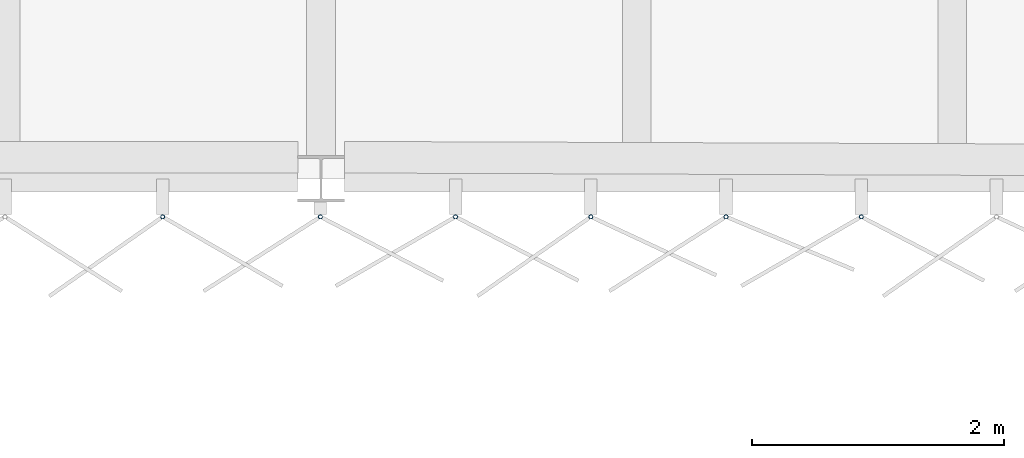
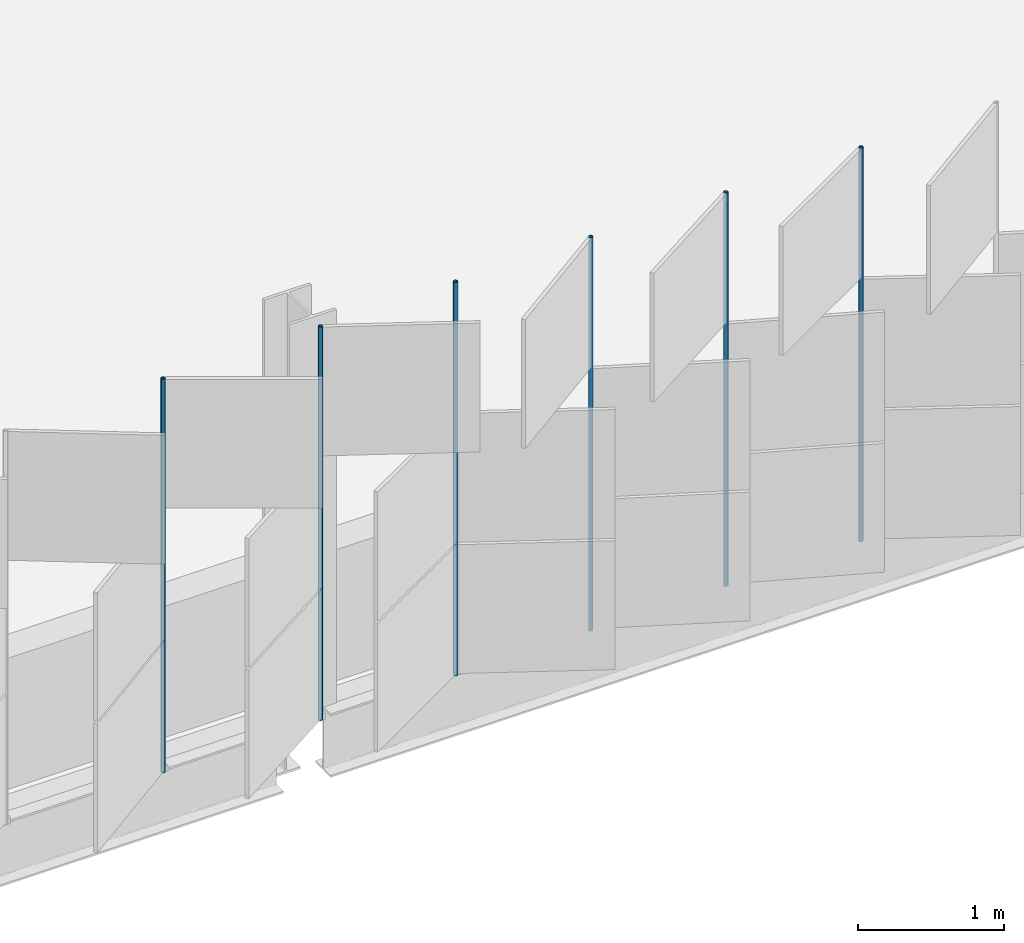
# One storey, part 105 of 198: 6 discrete accessories.
"""IFC4 building model written with IfcOpenShell, lengths in metres."""

from ifc_helpers import new_model, si_unit, direction, frame, origin, origin_2d, place, context, subcontext, project, spatial, hollow_circle, extrude, material, material_profile, profile_set, type_object, element, save


model = new_model("IFC4")

# Units and contexts
model_context = context("Model", 3, precision=1e-05, world=origin(), true_north=direction((0.0, 1.0)))
body_context = subcontext(model_context, "Body", "Model", "MODEL_VIEW")
ifc_project = project(units=[si_unit("LENGTHUNIT", "METRE"), si_unit("AREAUNIT", "SQUARE_METRE"), si_unit("VOLUMEUNIT", "CUBIC_METRE"), si_unit("PLANEANGLEUNIT", "RADIAN"), si_unit("MASSUNIT", "GRAM", prefix="KILO")], contexts=[model_context])

# Site, building, storey
site_placement = place(None, origin())
site = spatial("IfcSite", under=ifc_project, at=site_placement, CompositionType="ELEMENT")
building_placement = place(site_placement, origin())
building = spatial("IfcBuilding", under=site, at=building_placement, Name="Parallax Yard Mobility Hub", CompositionType="ELEMENT")
storey_placement = place(building_placement, frame((0.0, 0.0, 6.60009765625)))
storey = spatial("IfcBuildingStorey", under=building, at=storey_placement, Name="L02", CompositionType="ELEMENT", Elevation=6.60009765625)

# Discrete accessories
ifc_material = material(Name="Steel ASTM A500 Gr C, hot-dip galvanised", Category="steel")
ifc_material_profile = material_profile(ifc_material, hollow_circle(Radius=0.016845703125, WallThickness=0.003173828125, at=origin_2d()), Name="CHS 33.7x3.2")
ifc_profile_set = profile_set([ifc_material_profile], Name="Steel ASTM A500 Gr C, hot-dip galvanised")
discrete_accessory_type = type_object("IfcDiscreteAccessoryType", Name="Hinge post CHS 33.7x3.2", PredefinedType="BRACKET", material=ifc_profile_set)
for number, where, z_axis, x_axis, name in (
    (1, (148.744384765625, 112.199951171875, 0.0), (0.0, 0.0, 1.0), (1.0, 0.0, 0.0), "Hinge post bay 14.6 level L02"),
    (2, (149.993408203125, 112.199951171875, 0.0), (0.0, 0.0, 1.0), (1.0, 0.0, 0.0), "Hinge post bay 15.1 level L02"),
    (3, (151.06494140625, 112.199951171875, 0.0), (0.0, 0.0, 1.0), (1.0, 0.0, 0.0), "Hinge post bay 15.2 level L02"),
    (4, (152.136474609375, 112.199951171875, 0.0), (0.0, 0.0, 1.0), (1.0, 0.0, 0.0), "Hinge post bay 15.3 level L02"),
    (5, (153.2080078125, 112.199951171875, 0.0), (0.0, 0.0, 1.0), (1.0, 0.0, 0.0), "Hinge post bay 15.4 level L02"),
    (6, (154.279541015625, 112.199951171875, 0.0), (0.0, 0.0, 1.0), (1.0, 0.0, 0.0), "Hinge post bay 15.5 level L02"),
):
    element("IfcDiscreteAccessory", number, at=place(storey_placement, frame(where, z_axis=z_axis, x_axis=x_axis)), inside=storey, type_object=discrete_accessory_type, Name=name, PredefinedType="BRACKET", context=body_context, shape_type="SweptSolid", body=[
        extrude(hollow_circle(Radius=0.016845703125, WallThickness=0.003173828125, at=origin_2d()), origin(), (0.0, 0.0, 1.0), 3.2998046875),
    ])

save(model, "model.ifc")
